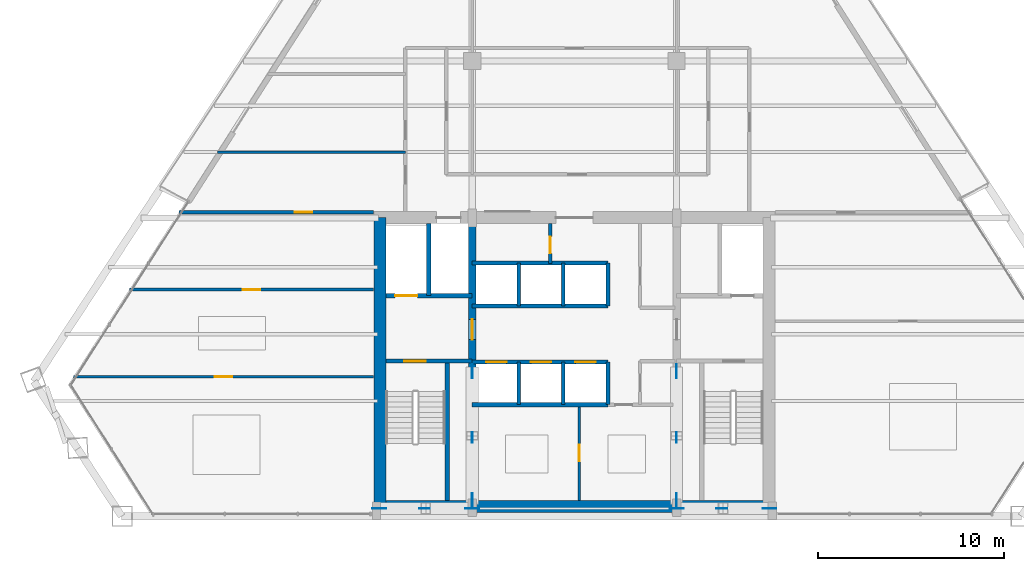
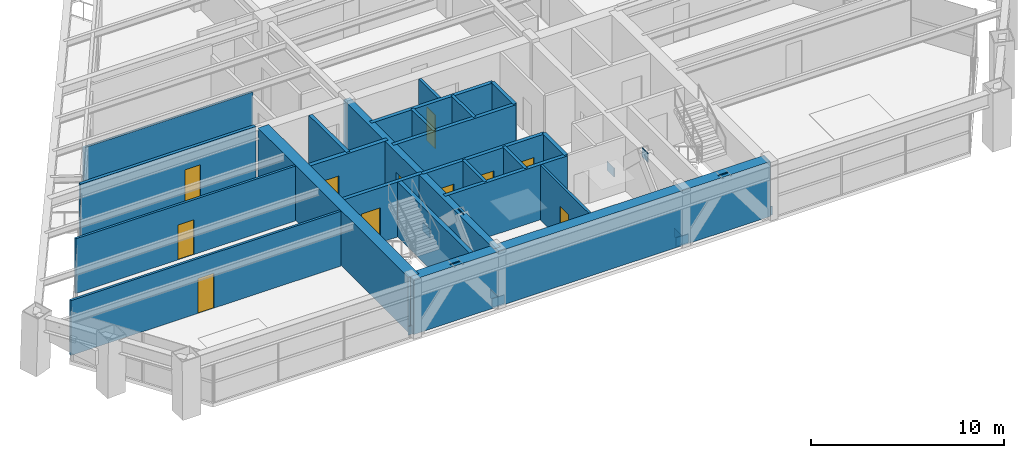
# One storey, part 11 of 15: 23 walls, 12 plates, 11 doors, 11 openings.
"""IFC4 building model written with IfcOpenShell, lengths in metres."""

import ifcopenshell
import ifcopenshell.guid

model = None  # the IFC model being written
_history = None  # IfcOwnerHistory: only IFC2X3 demands one
_inside = {}  # id of a spatial element -> (the spatial element, [elements in it])
_under = {}  # id of a project, library or spatial element -> (it, [spatial elements below it])
_declared = {}  # id of a project -> (the project, [libraries it declares])
_typed = {}  # id of a type object -> (the type object, [elements of that type])
_made_of = {}  # id of a material, layer set ... -> (it, [elements and type objects made of it])


def new_model(schema):
    """Start an empty IFC model of exactly this schema.

    Asked for "IFC4X3", IfcOpenShell would pick the latest addendum, in which some entities
    have other attributes; the version numbers below select the first issue.
    IFC2X3 requires an IfcOwnerHistory on every rooted entity: one is made here for all.
    """
    global model, _history
    if schema == "IFC4X3":
        model = ifcopenshell.file(schema_version=(4, 3, 0, 0))
    else:
        model = ifcopenshell.file(schema=schema)
    _inside.clear()
    _under.clear()
    _declared.clear()
    _typed.clear()
    _made_of.clear()
    _history = None
    if model.schema == "IFC2X3":
        org = make("IfcOrganization", Name="unknown")
        user = make(
            "IfcPersonAndOrganization",
            ThePerson=make("IfcPerson", FamilyName="unknown"),
            TheOrganization=org,
        )
        app = make(
            "IfcApplication",
            ApplicationDeveloper=org,
            Version="unknown",
            ApplicationFullName="unknown",
            ApplicationIdentifier="unknown",
        )
        _history = make(
            "IfcOwnerHistory",
            OwningUser=user,
            OwningApplication=app,
            ChangeAction="ADDED",
            CreationDate=0,
        )
    return model


def make(cls, **values):
    """One entity of the class cls with the attributes given. An attribute that is None is left unset."""
    return model.create_entity(
        cls, **{name: value for name, value in values.items() if value is not None}
    )


def rooted(cls, **values):
    """An entity with a GlobalId (a new one), such as an element, a storey or a relation."""
    return make(cls, GlobalId=ifcopenshell.guid.new(), OwnerHistory=_history, **values)


def si_unit(unit_type, name, prefix=None):
    """IfcSIUnit, for example si_unit("LENGTHUNIT", "METRE", prefix="MILLI")."""
    return make("IfcSIUnit", UnitType=unit_type, Prefix=prefix, Name=name)


def assignment(units):
    """IfcUnitAssignment: the units of a project."""
    return None if units is None else make("IfcUnitAssignment", Units=units)


def point(xyz):
    """IfcCartesianPoint."""
    return None if xyz is None else make("IfcCartesianPoint", Coordinates=xyz)


def direction(xyz):
    """IfcDirection."""
    return None if xyz is None else make("IfcDirection", DirectionRatios=xyz)


def frame(location, z_axis=None, x_axis=None):
    """IfcAxis2Placement3D, a coordinate frame: its origin and axes. An axis left out is left unset."""
    return make(
        "IfcAxis2Placement3D",
        Location=point(location),
        Axis=direction(z_axis),
        RefDirection=direction(x_axis),
    )


def frame_2d(location, x_axis=None):
    """IfcAxis2Placement2D, a coordinate frame in the plane: its origin and x axis."""
    return make(
        "IfcAxis2Placement2D", Location=point(location), RefDirection=direction(x_axis)
    )


def origin():
    """The frame at (0, 0, 0) with its axes left unset."""
    return frame((0.0, 0.0, 0.0))


def origin_2d():
    """The frame at (0, 0) in the plane with its x axis left unset."""
    return frame_2d((0.0, 0.0))


def place(relative_to, where):
    """IfcLocalPlacement: puts the frame where relative to a parent placement (None: the world)."""
    return make(
        "IfcLocalPlacement", PlacementRelTo=relative_to, RelativePlacement=where
    )


def context(
    kind, dimensions, precision=None, world=None, true_north=None, identifier=None
):
    """IfcGeometricRepresentationContext, for example the 3D "Model" context."""
    return make(
        "IfcGeometricRepresentationContext",
        ContextIdentifier=identifier,
        ContextType=kind,
        CoordinateSpaceDimension=dimensions,
        Precision=precision,
        WorldCoordinateSystem=world,
        TrueNorth=true_north,
    )


def subcontext(parent, identifier, kind, view, scale=None):
    """IfcGeometricRepresentationSubContext, for example "Body" below "Model"."""
    return make(
        "IfcGeometricRepresentationSubContext",
        ContextIdentifier=identifier,
        ContextType=kind,
        ParentContext=parent,
        TargetScale=scale,
        TargetView=view,
    )


def project(units=None, contexts=None):
    """IfcProject with its units and contexts."""
    return rooted(
        "IfcProject",
        Name="project",
        RepresentationContexts=contexts,
        UnitsInContext=assignment(units),
    )


def spatial(cls, under=None, at=None, **own):
    """A site, building, storey or space (cls), placed at a placement, below another one or the project."""
    s = rooted(cls, ObjectPlacement=at, **own)
    if under is not None:
        _under.setdefault(under.id(), (under, []))[1].append(s)
    return s


def profile(cls, at=None, kind="AREA", **sizes):
    """A parametric profile (cls). Its sizes go by their IFC names, for example OverallWidth=200.0."""
    return make(cls, ProfileType=kind, Position=at, **sizes)


def rectangle(**sizes):
    """IfcRectangleProfileDef."""
    return profile("IfcRectangleProfileDef", **sizes)


def extrude(swept, where, along, depth):
    """IfcExtrudedAreaSolid: the profile swept, set in the frame where, extruded along a direction by depth."""
    return make(
        "IfcExtrudedAreaSolid",
        SweptArea=swept,
        Position=where,
        ExtrudedDirection=direction(along),
        Depth=depth,
    )


def shape(context_of_items, identifier, shape_type, items):
    """IfcShapeRepresentation: the items that make up one representation, for example the "Body"."""
    return make(
        "IfcShapeRepresentation",
        ContextOfItems=context_of_items,
        RepresentationIdentifier=identifier,
        RepresentationType=shape_type,
        Items=items,
    )


def source(mapping_origin, context_of_items, identifier, shape_type, items):
    """IfcRepresentationMap: a shape defined once, which mapped items show again and again."""
    return make(
        "IfcRepresentationMap",
        MappingOrigin=mapping_origin,
        MappedRepresentation=shape(context_of_items, identifier, shape_type, items),
    )


def transform(
    local_origin,
    x_axis=None,
    y_axis=None,
    z_axis=None,
    scale=None,
    scale2=None,
    scale3=None,
    uniform=True,
):
    """IfcCartesianTransformationOperator3D, or its non-uniform kind. x_axis, y_axis, z_axis: its Axis1, 2, 3."""
    if uniform:
        return make(
            "IfcCartesianTransformationOperator3D",
            Axis1=direction(x_axis),
            Axis2=direction(y_axis),
            LocalOrigin=point(local_origin),
            Scale=scale,
            Axis3=direction(z_axis),
        )
    return make(
        "IfcCartesianTransformationOperator3DnonUniform",
        Axis1=direction(x_axis),
        Axis2=direction(y_axis),
        LocalOrigin=point(local_origin),
        Scale=scale,
        Axis3=direction(z_axis),
        Scale2=scale2,
        Scale3=scale3,
    )


def mapped(mapping_source, mapping_target):
    """IfcMappedItem: shows the shape of a source again, moved by a transform."""
    return make(
        "IfcMappedItem", MappingSource=mapping_source, MappingTarget=mapping_target
    )


def material(Name=None, Category=None):
    """IfcMaterial."""
    return make("IfcMaterial", Name=Name, Category=Category)


def layer(
    of_material, thickness, ventilated=None, Name=None, Category=None, Priority=None
):
    """IfcMaterialLayer: one layer of a wall or slab, of a material (None: an air gap)."""
    return make(
        "IfcMaterialLayer",
        Material=of_material,
        LayerThickness=thickness,
        IsVentilated=ventilated,
        Name=Name,
        Category=Category,
        Priority=Priority,
    )


def layer_set(layers, Name=None):
    """IfcMaterialLayerSet."""
    return make("IfcMaterialLayerSet", MaterialLayers=layers, LayerSetName=Name)


def made_of(thing, what):
    """Note that an element or type object is made of a material, layer set ...; save() writes the relation."""
    if what is not None:
        _made_of.setdefault(what.id(), (what, []))[1].append(thing)
    return thing


def type_object(cls, material=None, **own):
    """A type object (cls), such as IfcWallType, which elements share."""
    return made_of(rooted(cls, **own), material)


def type_shapes(of_type, sources):
    """Give a type object the sources (RepresentationMaps) that its elements show as mapped items."""
    of_type.RepresentationMaps = sources


def element(
    cls,
    number,
    at=None,
    inside=None,
    cuts=None,
    type_object=None,
    material=None,
    context=None,
    identifier="Body",
    shape_type=None,
    held_by="IfcProductDefinitionShape",
    body=None,
    shapes=None,
    **own,
):
    """One element of the class cls, such as IfcWall. Its Tag is "e" and its number.

    at: its placement. inside: the storey or other place that contains it. cuts: it is an
    opening in that element (IfcRelVoidsElement). A single representation is given by context,
    identifier, shape_type and body (its items); several are given by shapes. held_by: the class
    of the entity that holds the representations. save() writes the other relations.
    """
    e = rooted(cls, Tag="e%d" % number, ObjectPlacement=at, **own)
    if body is not None:
        shapes = [shape(context, identifier, shape_type, body)]
    if shapes is not None:
        e.Representation = make(held_by, Representations=shapes)
    if inside is not None:
        _inside.setdefault(inside.id(), (inside, []))[1].append(e)
    if cuts is not None:
        rooted(
            "IfcRelVoidsElement", RelatingBuildingElement=cuts, RelatedOpeningElement=e
        )
    if type_object is not None:
        _typed.setdefault(type_object.id(), (type_object, []))[1].append(e)
    return made_of(e, material)


def fill(opening, filler):
    """IfcRelFillsElement: the door or window that sits in an opening."""
    return rooted(
        "IfcRelFillsElement",
        RelatingOpeningElement=opening,
        RelatedBuildingElement=filler,
    )


def aggregate(whole, parts):
    """IfcRelAggregates: a whole, such as a stair, and the parts it consists of."""
    return rooted("IfcRelAggregates", RelatingObject=whole, RelatedObjects=parts)


def save(model, path):
    """Write the relations noted so far, then the file.

    IfcRelAggregates (storeys below a building ...), IfcRelContainedInSpatialStructure (elements
    in a storey), IfcRelDefinesByType, IfcRelAssociatesMaterial and IfcRelDeclares: one each for
    every whole, place, type object, material and project.
    """
    for whole, parts in _under.values():
        aggregate(whole, parts)
    for where, things in _inside.values():
        rooted(
            "IfcRelContainedInSpatialStructure",
            RelatedElements=things,
            RelatingStructure=where,
        )
    for kind, things in _typed.values():
        rooted("IfcRelDefinesByType", RelatedObjects=things, RelatingType=kind)
    for what, things in _made_of.values():
        rooted("IfcRelAssociatesMaterial", RelatedObjects=things, RelatingMaterial=what)
    for by, libraries in _declared.values():
        rooted("IfcRelDeclares", RelatingContext=by, RelatedDefinitions=libraries)
    model.write(path)


model = new_model("IFC4")

# Units and contexts
model_context = context("Model", 3, precision=1e-05, world=origin(), true_north=direction((0.0, 1.0)))
body_context = subcontext(model_context, "Body", "Model", "MODEL_VIEW")
ifc_project = project(units=[si_unit("LENGTHUNIT", "METRE"), si_unit("AREAUNIT", "SQUARE_METRE"), si_unit("VOLUMEUNIT", "CUBIC_METRE"), si_unit("PLANEANGLEUNIT", "RADIAN"), si_unit("MASSUNIT", "GRAM", prefix="KILO")], contexts=[model_context])

# Site, building, storey
site_placement = place(None, origin())
site = spatial("IfcSite", under=ifc_project, at=site_placement, CompositionType="ELEMENT")
building_placement = place(site_placement, origin())
building = spatial("IfcBuilding", under=site, at=building_placement, Name="Varnakhor Terracotta Tower", CompositionType="ELEMENT")
storey_placement = place(building_placement, frame((0.0, 0.0, 155.199951171875)))
storey = spatial("IfcBuildingStorey", under=building, at=storey_placement, Name="L39", CompositionType="ELEMENT", Elevation=155.199951171875)

# Plates
ifc_material_1 = material(Name="Steel S460", Category="steel")
ifc_layer_1 = layer(ifc_material_1, 0.050048828125, Name="Steel S460")
ifc_layer_set_1 = layer_set([ifc_layer_1], Name="Steel S460")
plate_type = type_object("IfcPlateType", Name="PLT-GUSSET-50", PredefinedType="USERDEFINED", material=ifc_layer_set_1)
shared_shape_1 = source(origin(), body_context, "Body", "SweptSolid", [
    extrude(rectangle(XDim=0.75, YDim=0.0400390625, at=origin_2d()), origin(), (0.0, 0.0, 1.0), 0.550048828125),
])
type_shapes(plate_type, [shared_shape_1])
for number, where, z_axis, x_axis, name in (
    (1, (-10.5, 0.419921875, -0.09521484375), (0.0, 0.0, 1.0), (1.0, 0.0, 0.0), "L39 Core Brace Embed Plate CSWA"),
    (2, (-5.5, 0.419921875, -0.09521484375), (0.0, 0.0, 1.0), (1.0, 0.0, 0.0), "L39 Core Brace Embed Plate CSWB"),
    (3, (5.5, 0.419921875, -0.09521484375), (0.0, 0.0, 1.0), (1.0, 0.0, 0.0), "L39 Core Brace Embed Plate CSEA"),
    (4, (10.5, 0.419921875, -0.09521484375), (0.0, 0.0, 1.0), (1.0, 0.0, 0.0), "L39 Core Brace Embed Plate CSEB"),
    (5, (-5.5, 0.85009765625, -0.09521484375), (0.0, 0.0, 1.0), (0.0, 1.0, 0.0), "L39 Core Brace Embed Plate CWWA"),
    (6, (-5.5, 7.800048828125, -0.09521484375), (0.0, 0.0, 1.0), (0.0, 1.0, 0.0), "L39 Core Brace Embed Plate CWWB"),
    (7, (5.5, 0.85009765625, -0.09521484375), (0.0, 0.0, 1.0), (0.0, 1.0, 0.0), "L39 Core Brace Embed Plate CWEA"),
    (8, (5.5, 7.800048828125, -0.09521484375), (0.0, 0.0, 1.0), (0.0, 1.0, 0.0), "L39 Core Brace Embed Plate CWEB"),
):
    element("IfcPlate", number, at=place(storey_placement, frame(where, z_axis=z_axis, x_axis=x_axis)), inside=storey, type_object=plate_type, Name=name, ObjectType="GUSSET PLATE", PredefinedType="USERDEFINED", context=body_context, shape_type="MappedRepresentation", body=[
        mapped(shared_shape_1, transform((0.0, 0.0, 0.0), scale=1.0)),
    ])
shared_shape_2 = source(origin(), body_context, "Body", "SweptSolid", [
    extrude(rectangle(XDim=0.580078125, YDim=0.0400390625, at=origin_2d()), origin(), (0.0, 0.0, 1.0), 0.580078125),
])
for number, where, z_axis, x_axis, name in (
    (9, (-8.072265625, 0.419921875, 2.93408203125), (0.0, 0.0, 1.0), (1.0, 0.0, 0.0), "L39 Brace End Connection Plate 128"),
    (10, (7.927734375, 0.419921875, 2.93408203125), (0.0, 0.0, 1.0), (1.0, 0.0, 0.0), "L39 Brace End Connection Plate 129"),
    (11, (-5.5, 4.23828125, 2.947021484375), (0.0, 0.0, 1.0), (0.0, 1.0, 0.0), "L39 Brace End Connection Plate 130"),
    (12, (5.5, 4.23828125, 2.947021484375), (0.0, 0.0, 1.0), (0.0, 1.0, 0.0), "L39 Brace End Connection Plate 131"),
):
    element("IfcPlate", number, at=place(storey_placement, frame(where, z_axis=z_axis, x_axis=x_axis)), inside=storey, type_object=plate_type, Name=name, ObjectType="GUSSET PLATE", PredefinedType="USERDEFINED", context=body_context, shape_type="MappedRepresentation", body=[
        mapped(shared_shape_2, transform((0.0, 0.0, 0.0), scale=1.0)),
    ])

# Walls
ifc_material_2 = material(Name="Concrete C50/60", Category="concrete")
ifc_layer_2 = layer(ifc_material_2, 0.64990234375, Name="Concrete C50/60")
ifc_layer_set_2 = layer_set([ifc_layer_2], Name="Concrete C50/60")
wall_type_1 = type_object("IfcWallType", Name="WAL-CORE-650", PredefinedType="SHEAR", material=ifc_layer_set_2)
wall_1_placement = place(storey_placement, frame((-10.64990234375, 0.52490234375, 0.0), z_axis=(0.0, 0.0, 1.0), x_axis=(1.0, 0.0, 0.0)))
element("IfcWall", 13, at=wall_1_placement, inside=storey, type_object=wall_type_1, Name="L39 South Core Shear Wall", PredefinedType="SHEAR", context=body_context, shape_type="SweptSolid", body=[
    extrude(rectangle(XDim=21.2998046875, YDim=0.64990234375, at=frame_2d((10.64990234375, 0.0))), origin(), (0.0, 0.0, 1.0), 3.469970703125),
])
wall_2_placement = place(storey_placement, frame((-10.47509765625, 0.52490234375, 0.0), z_axis=(0.0, 0.0, 1.0), x_axis=(0.0, 1.0, 0.0)))
element("IfcWall", 14, at=wall_2_placement, inside=storey, type_object=wall_type_1, Name="L39 West Core Shear Wall", PredefinedType="SHEAR", context=body_context, shape_type="SweptSolid", body=[
    extrude(rectangle(XDim=15.550048828125, YDim=0.64990234375, at=frame_2d((7.77490234375, 0.0))), origin(), (0.0, 0.0, 1.0), 3.469970703125),
])

# Wall, opening, door
ifc_layer_3 = layer(ifc_material_2, 0.39990234375, Name="Concrete C50/60")
ifc_layer_set_3 = layer_set([ifc_layer_3], Name="Concrete C50/60")
wall_type_2 = type_object("IfcWallType", Name="WAL-CORE-WEB-400", PredefinedType="SHEAR", material=ifc_layer_set_3)
wall_3_placement = place(storey_placement, frame((-5.5, 0.52490234375, 0.0), z_axis=(0.0, 0.0, 1.0), x_axis=(0.0, 1.0, 0.0)))
wall_3 = element("IfcWall", 15, at=wall_3_placement, inside=storey, type_object=wall_type_2, Name="L39 West Core Web Shear Wall", PredefinedType="SHEAR", context=body_context, shape_type="SweptSolid", body=[
    extrude(rectangle(XDim=15.550048828125, YDim=0.39990234375, at=frame_2d((7.77490234375, 0.0))), origin(), (0.0, 0.0, 1.0), 3.469970703125),
])
opening_1_placement = place(wall_3_placement, frame((8.97509765625, 0.0, 0.0)))
opening_1 = element("IfcOpeningElement", 16, at=opening_1_placement, cuts=wall_3, Name="Opening DR-25", PredefinedType="OPENING", context=body_context, shape_type="SweptSolid", body=[
    extrude(rectangle(XDim=1.10009765625, YDim=2.199951171875, at=frame_2d((0.550048828125, 1.10009765625))), frame((0.0, 0.2099609375, 0.0), z_axis=(0.0, -1.0, 0.0), x_axis=(1.0, 0.0, 0.0)), (0.0, 0.0, 1.0), 0.419921875),
])
ifc_material_3 = material(Name="Firefighting Lobby Self-Closing Fire Door", Category="steel")
door_type_1 = type_object("IfcDoorType", Name="DR-FFL-1100X2200", OperationType="NOTDEFINED", PredefinedType="DOOR", material=ifc_material_3)
shared_shape_3 = source(origin(), body_context, "Body", "SweptSolid", [
    extrude(rectangle(XDim=1.10009765625, YDim=2.199951171875, at=frame_2d((0.550048828125, 1.10009765625))), frame((0.0, 0.02490234375, 0.0), z_axis=(0.0, -1.0, 0.0), x_axis=(1.0, 0.0, 0.0)), (0.0, 0.0, 1.0), 0.050048828125),
])
type_shapes(door_type_1, [shared_shape_3])
door_1_placement = place(opening_1_placement, origin())
door_1 = element("IfcDoor", 17, at=door_1_placement, inside=storey, type_object=door_type_1, Name="L39 West Firefighting Lobby Door", OperationType="SINGLE_SWING_LEFT", OverallHeight=2.199951171875, OverallWidth=1.10009765625, PredefinedType="DOOR", context=body_context, shape_type="MappedRepresentation", body=[
    mapped(shared_shape_3, transform((0.0, 0.0, 0.0), scale=1.0)),
])
fill(opening_1, door_1)

ifc_material_4 = material(Name="Fire-Rated Gypsum Stud Partition", Category="gypsum")
ifc_layer_4 = layer(ifc_material_4, 0.18505859375, Name="Fire-Rated Gypsum Stud Partition")
ifc_layer_set_4 = layer_set([ifc_layer_4], Name="Fire-Rated Gypsum Stud Partition")
wall_type_3 = type_object("IfcWallType", Name="WAL-CORR-185", PredefinedType="PARTITIONING", material=ifc_layer_set_4)
wall_4_placement = place(storey_placement, frame((-21.28271484375, 16.35009765625, 0.0), z_axis=(0.0, 0.0, 1.0), x_axis=(1.0, 0.0, 0.0)))
wall_4 = element("IfcWall", 18, at=wall_4_placement, inside=storey, type_object=wall_type_3, Name="L39 South West Entry Wall", PredefinedType="PARTITIONING", context=body_context, shape_type="SweptSolid", body=[
    extrude(rectangle(XDim=10.462646484375, YDim=0.18505859375, at=frame_2d((5.2314453125, 0.0))), origin(), (0.0, 0.0, 1.0), 3.462158203125),
])
opening_2_placement = place(wall_4_placement, frame((6.223876953125, 0.0, 0.0)))
opening_2 = element("IfcOpeningElement", 19, at=opening_2_placement, cuts=wall_4, Name="Opening DR-94", PredefinedType="OPENING", context=body_context, shape_type="SweptSolid", body=[
    extrude(rectangle(XDim=0.949951171875, YDim=2.199951171875, at=frame_2d((0.47509765625, 1.10009765625))), frame((0.0, 0.1025390625, 0.0), z_axis=(0.0, -1.0, 0.0), x_axis=(1.0, 0.0, 0.0)), (0.0, 0.0, 1.0), 0.205078125),
])
ifc_material_5 = material(Name="Acoustic Glazed-Vision Timber Office Door", Category="wood")
door_type_2 = type_object("IfcDoorType", Name="DR-OFF-950X2200", OperationType="NOTDEFINED", PredefinedType="DOOR", material=ifc_material_5)
shared_shape_4 = source(origin(), body_context, "Body", "SweptSolid", [
    extrude(rectangle(XDim=0.949951171875, YDim=2.199951171875, at=frame_2d((0.47509765625, 1.10009765625))), frame((0.0, 0.02490234375, 0.0), z_axis=(0.0, -1.0, 0.0), x_axis=(1.0, 0.0, 0.0)), (0.0, 0.0, 1.0), 0.050048828125),
])
type_shapes(door_type_2, [shared_shape_4])
door_2_placement = place(opening_2_placement, origin())
door_2 = element("IfcDoor", 20, at=door_2_placement, inside=storey, type_object=door_type_2, Name="L39 SW Suite Door", OperationType="SINGLE_SWING_RIGHT", OverallHeight=2.199951171875, OverallWidth=0.949951171875, PredefinedType="DOOR", context=body_context, shape_type="MappedRepresentation", body=[
    mapped(shared_shape_4, transform((0.0, 0.0, 0.0), scale=1.0)),
])
fill(opening_2, door_2)

ifc_material_6 = material(Name="Concrete C40/50", Category="concrete")
ifc_layer_5 = layer(ifc_material_6, 0.219970703125, Name="Concrete C40/50")
ifc_layer_set_5 = layer_set([ifc_layer_5], Name="Concrete C40/50")
wall_type_4 = type_object("IfcWallType", Name="WAL-FFLOBBY-220", PredefinedType="SOLIDWALL", material=ifc_layer_set_5)
wall_5_placement = place(storey_placement, frame((-5.5, 8.35009765625, 0.0), z_axis=(0.0, 0.0, 1.0), x_axis=(-1.0, 0.0, 0.0)))
wall_5 = element("IfcWall", 21, at=wall_5_placement, inside=storey, type_object=wall_type_4, Name="L39 West Firefighting Lobby Stair Wall", PredefinedType="SOLIDWALL", context=body_context, shape_type="SweptSolid", body=[
    extrude(rectangle(XDim=4.64990234375, YDim=0.219970703125, at=frame_2d((2.324951171875, 0.0))), origin(), (0.0, 0.0, 1.0), 3.469970703125),
])
opening_3_placement = place(wall_5_placement, frame((2.5, 0.0, 0.0)))
opening_3 = element("IfcOpeningElement", 22, at=opening_3_placement, cuts=wall_5, Name="Opening DR-34", PredefinedType="OPENING", context=body_context, shape_type="SweptSolid", body=[
    extrude(rectangle(XDim=1.14990234375, YDim=2.199951171875, at=frame_2d((0.574951171875, 1.10009765625))), frame((0.0, 0.1201171875, 0.0), z_axis=(0.0, -1.0, 0.0), x_axis=(1.0, 0.0, 0.0)), (0.0, 0.0, 1.0), 0.239990234375),
])
ifc_material_7 = material(Name="Self-Closing Smoke-Sealed Steel Fire Door", Category="steel")
door_type_3 = type_object("IfcDoorType", Name="DR-STAIR-1150X2200", OperationType="NOTDEFINED", PredefinedType="DOOR", material=ifc_material_7)
shared_shape_5 = source(origin(), body_context, "Body", "SweptSolid", [
    extrude(rectangle(XDim=1.14990234375, YDim=2.199951171875, at=frame_2d((0.574951171875, 1.10009765625))), frame((0.0, 0.02490234375, 0.0), z_axis=(0.0, -1.0, 0.0), x_axis=(1.0, 0.0, 0.0)), (0.0, 0.0, 1.0), 0.050048828125),
])
type_shapes(door_type_3, [shared_shape_5])
door_3_placement = place(opening_3_placement, origin())
door_3 = element("IfcDoor", 23, at=door_3_placement, inside=storey, type_object=door_type_3, Name="L39 Exit Stair ST-1 Fire Door", OperationType="SINGLE_SWING_RIGHT", OverallHeight=2.199951171875, OverallWidth=1.14990234375, PredefinedType="DOOR", context=body_context, shape_type="MappedRepresentation", body=[
    mapped(shared_shape_5, transform((0.0, 0.0, 0.0), scale=1.0)),
])
fill(opening_3, door_3)

ifc_material_8 = material(Name="Acoustic Metal-Stud Partition", Category="gypsum")
ifc_layer_6 = layer(ifc_material_8, 0.139892578125, Name="Acoustic Metal-Stud Partition")
ifc_layer_set_6 = layer_set([ifc_layer_6], Name="Acoustic Metal-Stud Partition")
wall_type_5 = type_object("IfcWallType", Name="WAL-PART-140", PredefinedType="PARTITIONING", material=ifc_layer_set_6)
wall_6_placement = place(storey_placement, frame((-26.957275390625, 7.5, 0.0), z_axis=(0.0, 0.0, 1.0), x_axis=(1.0, 0.0, 0.0)))
wall_6 = element("IfcWall", 24, at=wall_6_placement, inside=storey, type_object=wall_type_5, Name="L39 West Wing Cut 1", PredefinedType="PARTITIONING", context=body_context, shape_type="SweptSolid", body=[
    extrude(rectangle(XDim=16.13720703125, YDim=0.139892578125, at=frame_2d((8.068603515625, 0.0))), origin(), (0.0, 0.0, 1.0), 3.462158203125),
])
opening_4_placement = place(wall_6_placement, frame((7.60205078125, 0.0, 0.0)))
opening_4 = element("IfcOpeningElement", 25, at=opening_4_placement, cuts=wall_6, Name="Opening DR-94", PredefinedType="OPENING", context=body_context, shape_type="SweptSolid", body=[
    extrude(rectangle(XDim=0.949951171875, YDim=2.199951171875, at=frame_2d((0.47509765625, 1.10009765625))), frame((0.0, 0.080078125, 0.0), z_axis=(0.0, -1.0, 0.0), x_axis=(1.0, 0.0, 0.0)), (0.0, 0.0, 1.0), 0.159912109375),
])
door_4_placement = place(opening_4_placement, origin())
door_4 = element("IfcDoor", 26, at=door_4_placement, inside=storey, type_object=door_type_2, Name="L39 Wellness Lounge 4 Door", OperationType="SINGLE_SWING_RIGHT", OverallHeight=2.199951171875, OverallWidth=0.949951171875, PredefinedType="DOOR", context=body_context, shape_type="MappedRepresentation", body=[
    mapped(shared_shape_4, transform((0.0, 0.0, 0.0), scale=1.0)),
])
fill(opening_4, door_4)

wall_7_placement = place(storey_placement, frame((-23.943603515625, 12.199951171875, 0.0), z_axis=(0.0, 0.0, 1.0), x_axis=(1.0, 0.0, 0.0)))
wall_7 = element("IfcWall", 27, at=wall_7_placement, inside=storey, type_object=wall_type_5, Name="L39 West Wing Cut 2", PredefinedType="PARTITIONING", context=body_context, shape_type="SweptSolid", body=[
    extrude(rectangle(XDim=13.12353515625, YDim=0.139892578125, at=frame_2d((6.561767578125, 0.0))), origin(), (0.0, 0.0, 1.0), 3.462158203125),
])
opening_5_placement = place(wall_7_placement, frame((6.09521484375, 0.0, 0.0)))
opening_5 = element("IfcOpeningElement", 28, at=opening_5_placement, cuts=wall_7, Name="Opening DR-94", PredefinedType="OPENING", context=body_context, shape_type="SweptSolid", body=[
    extrude(rectangle(XDim=0.949951171875, YDim=2.199951171875, at=frame_2d((0.47509765625, 1.10009765625))), frame((0.0, 0.080078125, 0.0), z_axis=(0.0, -1.0, 0.0), x_axis=(1.0, 0.0, 0.0)), (0.0, 0.0, 1.0), 0.159912109375),
])
door_5_placement = place(opening_5_placement, origin())
door_5 = element("IfcDoor", 29, at=door_5_placement, inside=storey, type_object=door_type_2, Name="L39 Executive Lounge 1 B3 Door", OperationType="SINGLE_SWING_LEFT", OverallHeight=2.199951171875, OverallWidth=0.949951171875, PredefinedType="DOOR", context=body_context, shape_type="MappedRepresentation", body=[
    mapped(shared_shape_4, transform((0.0, 0.0, 0.0), scale=1.0)),
])
fill(opening_5, door_5)

# Walls
wall_8_placement = place(storey_placement, frame((-19.198974609375, 19.60009765625, 0.0), z_axis=(0.0, 0.0, 1.0), x_axis=(1.0, 0.0, 0.0)))
element("IfcWall", 30, at=wall_8_placement, inside=storey, type_object=wall_type_5, Name="L39 West Wing Cut 3", PredefinedType="PARTITIONING", context=body_context, shape_type="SweptSolid", body=[
    extrude(rectangle(XDim=10.098876953125, YDim=0.139892578125, at=frame_2d((5.04931640625, 0.0))), origin(), (0.0, 0.0, 1.0), 3.049072265625),
])
ifc_layer_7 = layer(ifc_material_6, 0.179931640625, Name="Concrete C40/50")
ifc_layer_set_7 = layer_set([ifc_layer_7], Name="Concrete C40/50")
wall_type_6 = type_object("IfcWallType", Name="WAL-SHAFT-180", PredefinedType="SOLIDWALL", material=ifc_layer_set_7)
for number, where, z_axis, x_axis, name in (
    (31, (-3.0, 6.0, 0.0), (0.0, 0.0, 1.0), (0.0, 1.0, 0.0), "L39 PL-2A Divider"),
    (32, (-0.60009765625, 6.0, 0.0), (0.0, 0.0, 1.0), (0.0, 1.0, 0.0), "L39 PL-2B Divider"),
    (33, (-3.0, 11.320068359375, 0.0), (0.0, 0.0, 1.0), (0.0, 1.0, 0.0), "L39 PL-3A Divider"),
    (34, (-0.60009765625, 11.320068359375, 0.0), (0.0, 0.0, 1.0), (0.0, 1.0, 0.0), "L39 PL-3B Divider"),
):
    element("IfcWall", number, at=place(storey_placement, frame(where, z_axis=z_axis, x_axis=x_axis)), inside=storey, type_object=wall_type_6, Name=name, PredefinedType="SOLIDWALL", context=body_context, shape_type="SweptSolid", body=[
        extrude(rectangle(XDim=2.300048828125, YDim=0.179931640625, at=frame_2d((1.14990234375, 0.0))), origin(), (0.0, 0.0, 1.0), 3.469970703125),
    ])
ifc_layer_8 = layer(ifc_material_6, 0.219970703125, Name="Concrete C40/50")
ifc_layer_set_8 = layer_set([ifc_layer_8], Name="Concrete C40/50")
wall_type_7 = type_object("IfcWallType", Name="WAL-SHAFT-220", PredefinedType="SOLIDWALL", material=ifc_layer_set_8)
wall_9_placement = place(storey_placement, frame((-7.840087890625, 11.8701171875, 0.0), z_axis=(0.0, 0.0, 1.0), x_axis=(0.0, 1.0, 0.0)))
element("IfcWall", 35, at=wall_9_placement, inside=storey, type_object=wall_type_7, Name="L39 Lift FFL-1 and SVL-1 Divider Wall", PredefinedType="SOLIDWALL", context=body_context, shape_type="SweptSolid", body=[
    extrude(rectangle(XDim=3.8798828125, YDim=0.219970703125, at=frame_2d((1.93994140625, 0.0))), origin(), (0.0, 0.0, 1.0), 3.469970703125),
])
wall_10_placement = place(storey_placement, frame((-5.5, 6.0, 0.0), z_axis=(0.0, 0.0, 1.0), x_axis=(1.0, 0.0, 0.0)))
element("IfcWall", 36, at=wall_10_placement, inside=storey, type_object=wall_type_7, Name="L39 Bank 2 South Shaft Wall", PredefinedType="SOLIDWALL", context=body_context, shape_type="SweptSolid", body=[
    extrude(rectangle(XDim=7.320068359375, YDim=0.219970703125, at=frame_2d((3.66015625, 0.0))), origin(), (0.0, 0.0, 1.0), 3.469970703125),
])

# Wall, openings, doors
wall_11_placement = place(storey_placement, frame((-5.5, 8.300048828125, 0.0), z_axis=(0.0, 0.0, 1.0), x_axis=(1.0, 0.0, 0.0)))
wall_11 = element("IfcWall", 37, at=wall_11_placement, inside=storey, type_object=wall_type_7, Name="L39 Bank 2 North Shaft Wall", PredefinedType="SOLIDWALL", context=body_context, shape_type="SweptSolid", body=[
    extrude(rectangle(XDim=7.320068359375, YDim=0.219970703125, at=frame_2d((3.66015625, 0.0))), origin(), (0.0, 0.0, 1.0), 3.469970703125),
])
opening_6_placement = place(wall_11_placement, frame((0.75, 0.0, 0.0)))
opening_6 = element("IfcOpeningElement", 38, at=opening_6_placement, cuts=wall_11, Name="Opening LD-01", PredefinedType="OPENING", context=body_context, shape_type="SweptSolid", body=[
    extrude(rectangle(XDim=1.10009765625, YDim=2.199951171875, at=frame_2d((0.550048828125, 1.10009765625))), frame((0.0, 0.1201171875, 0.0), z_axis=(0.0, -1.0, 0.0), x_axis=(1.0, 0.0, 0.0)), (0.0, 0.0, 1.0), 0.239990234375),
])
opening_7_placement = place(wall_11_placement, frame((3.14990234375, 0.0, 0.0)))
opening_7 = element("IfcOpeningElement", 39, at=opening_7_placement, cuts=wall_11, Name="Opening LD-01", PredefinedType="OPENING", context=body_context, shape_type="SweptSolid", body=[
    extrude(rectangle(XDim=1.10009765625, YDim=2.199951171875, at=frame_2d((0.550048828125, 1.10009765625))), frame((0.0, 0.1201171875, 0.0), z_axis=(0.0, -1.0, 0.0), x_axis=(1.0, 0.0, 0.0)), (0.0, 0.0, 1.0), 0.239990234375),
])
opening_8_placement = place(wall_11_placement, frame((5.550048828125, 0.0, 0.0)))
opening_8 = element("IfcOpeningElement", 40, at=opening_8_placement, cuts=wall_11, Name="Opening LD-01", PredefinedType="OPENING", context=body_context, shape_type="SweptSolid", body=[
    extrude(rectangle(XDim=1.10009765625, YDim=2.199951171875, at=frame_2d((0.550048828125, 1.10009765625))), frame((0.0, 0.1201171875, 0.0), z_axis=(0.0, -1.0, 0.0), x_axis=(1.0, 0.0, 0.0)), (0.0, 0.0, 1.0), 0.239990234375),
])
ifc_material_9 = material(Name="Brushed Stainless Steel Sliding Lift Landing Door", Category="steel")
door_type_4 = type_object("IfcDoorType", Name="LD-PASS-1100X2200", OperationType="NOTDEFINED", PredefinedType="DOOR", material=ifc_material_9)
shared_shape_6 = source(origin(), body_context, "Body", "SweptSolid", [
    extrude(rectangle(XDim=1.10009765625, YDim=2.199951171875, at=frame_2d((0.550048828125, 1.10009765625))), frame((0.0, 0.02490234375, 0.0), z_axis=(0.0, -1.0, 0.0), x_axis=(1.0, 0.0, 0.0)), (0.0, 0.0, 1.0), 0.050048828125),
])
type_shapes(door_type_4, [shared_shape_6])
door_6_placement = place(opening_6_placement, origin())
door_6 = element("IfcDoor", 41, at=door_6_placement, inside=storey, type_object=door_type_4, Name="L39 Passenger Lift PL-2A Landing Door", OperationType="SLIDING_TO_LEFT", OverallHeight=2.199951171875, OverallWidth=1.10009765625, PredefinedType="DOOR", context=body_context, shape_type="MappedRepresentation", body=[
    mapped(shared_shape_6, transform((0.0, 0.0, 0.0), scale=1.0)),
])
fill(opening_6, door_6)
door_7_placement = place(opening_7_placement, origin())
door_7 = element("IfcDoor", 42, at=door_7_placement, inside=storey, type_object=door_type_4, Name="L39 Passenger Lift PL-2B Landing Door", OperationType="SLIDING_TO_LEFT", OverallHeight=2.199951171875, OverallWidth=1.10009765625, PredefinedType="DOOR", context=body_context, shape_type="MappedRepresentation", body=[
    mapped(shared_shape_6, transform((0.0, 0.0, 0.0), scale=1.0)),
])
fill(opening_7, door_7)
door_8_placement = place(opening_8_placement, origin())
door_8 = element("IfcDoor", 43, at=door_8_placement, inside=storey, type_object=door_type_4, Name="L39 Passenger Lift PL-2C Landing Door", OperationType="SLIDING_TO_LEFT", OverallHeight=2.199951171875, OverallWidth=1.10009765625, PredefinedType="DOOR", context=body_context, shape_type="MappedRepresentation", body=[
    mapped(shared_shape_6, transform((0.0, 0.0, 0.0), scale=1.0)),
])
fill(opening_8, door_8)

# Walls
wall_12_placement = place(storey_placement, frame((1.800048828125, 6.0, 0.0), z_axis=(0.0, 0.0, 1.0), x_axis=(0.0, 1.0, 0.0)))
element("IfcWall", 44, at=wall_12_placement, inside=storey, type_object=wall_type_7, Name="L39 Bank 2 East Shaft Wall", PredefinedType="SOLIDWALL", context=body_context, shape_type="SweptSolid", body=[
    extrude(rectangle(XDim=2.300048828125, YDim=0.219970703125, at=frame_2d((1.14990234375, 0.0))), origin(), (0.0, 0.0, 1.0), 3.469970703125),
])
for number, where, z_axis, x_axis, name in (
    (45, (-5.5, 11.320068359375, 0.0), (0.0, 0.0, 1.0), (1.0, 0.0, 0.0), "L39 Bank 3 South Shaft Wall"),
    (46, (-5.5, 13.6201171875, 0.0), (0.0, 0.0, 1.0), (1.0, 0.0, 0.0), "L39 Bank 3 North Shaft Wall"),
):
    element("IfcWall", number, at=place(storey_placement, frame(where, z_axis=z_axis, x_axis=x_axis)), inside=storey, type_object=wall_type_7, Name=name, PredefinedType="SOLIDWALL", context=body_context, shape_type="SweptSolid", body=[
        extrude(rectangle(XDim=7.320068359375, YDim=0.219970703125, at=frame_2d((3.66015625, 0.0))), origin(), (0.0, 0.0, 1.0), 3.469970703125),
    ])
wall_13_placement = place(storey_placement, frame((1.800048828125, 11.320068359375, 0.0), z_axis=(0.0, 0.0, 1.0), x_axis=(0.0, 1.0, 0.0)))
element("IfcWall", 47, at=wall_13_placement, inside=storey, type_object=wall_type_7, Name="L39 Bank 3 East Shaft Wall", PredefinedType="SOLIDWALL", context=body_context, shape_type="SweptSolid", body=[
    extrude(rectangle(XDim=2.300048828125, YDim=0.219970703125, at=frame_2d((1.14990234375, 0.0))), origin(), (0.0, 0.0, 1.0), 3.469970703125),
])
ifc_layer_9 = layer(ifc_material_6, 0.25, Name="Concrete C40/50")
ifc_layer_set_9 = layer_set([ifc_layer_9], Name="Concrete C40/50")
wall_type_8 = type_object("IfcWallType", Name="WAL-SHAFT-250", PredefinedType="SOLIDWALL", material=ifc_layer_set_9)
wall_14_placement = place(storey_placement, frame((-6.85009765625, 0.85009765625, 0.0), z_axis=(0.0, 0.0, 1.0), x_axis=(0.0, 1.0, 0.0)))
element("IfcWall", 48, at=wall_14_placement, inside=storey, type_object=wall_type_8, Name="L39 Stair ST-1 Bearing Shaft Wall", PredefinedType="SOLIDWALL", context=body_context, shape_type="SweptSolid", body=[
    extrude(rectangle(XDim=7.5, YDim=0.25, at=frame_2d((3.75, 0.0))), origin(), (0.0, 0.0, 1.0), 3.469970703125),
])

# Wall, opening, door
wall_15_placement = place(storey_placement, frame((-5.5, 11.8701171875, 0.0), z_axis=(0.0, 0.0, 1.0), x_axis=(-1.0, 0.0, 0.0)))
wall_15 = element("IfcWall", 49, at=wall_15_placement, inside=storey, type_object=wall_type_8, Name="L39 Lift FFL-1 Shaft Front Wall", PredefinedType="SOLIDWALL", context=body_context, shape_type="SweptSolid", body=[
    extrude(rectangle(XDim=4.64990234375, YDim=0.25, at=frame_2d((2.324951171875, 0.0))), origin(), (0.0, 0.0, 1.0), 3.469970703125),
])
opening_9_placement = place(wall_15_placement, frame((2.949951171875, 0.0, 0.0)))
opening_9 = element("IfcOpeningElement", 50, at=opening_9_placement, cuts=wall_15, Name="Opening LD-02", PredefinedType="OPENING", context=body_context, shape_type="SweptSolid", body=[
    extrude(rectangle(XDim=1.199951171875, YDim=2.25, at=frame_2d((0.60009765625, 1.125))), frame((0.0, 0.135009765625, 0.0), z_axis=(0.0, -1.0, 0.0), x_axis=(1.0, 0.0, 0.0)), (0.0, 0.0, 1.0), 0.27001953125),
])
ifc_material_10 = material(Name="Firefighting Stretcher Sliding Lift Landing Door", Category="steel")
door_type_5 = type_object("IfcDoorType", Name="LD-FFL-1200X2250", OperationType="NOTDEFINED", PredefinedType="DOOR", material=ifc_material_10)
shared_shape_7 = source(origin(), body_context, "Body", "SweptSolid", [
    extrude(rectangle(XDim=1.199951171875, YDim=2.25, at=frame_2d((0.60009765625, 1.125))), frame((0.0, 0.02490234375, 0.0), z_axis=(0.0, -1.0, 0.0), x_axis=(1.0, 0.0, 0.0)), (0.0, 0.0, 1.0), 0.050048828125),
])
type_shapes(door_type_5, [shared_shape_7])
door_9_placement = place(opening_9_placement, origin())
door_9 = element("IfcDoor", 51, at=door_9_placement, inside=storey, type_object=door_type_5, Name="L39 Firefighting Lift FFL-1 Landing Door", OperationType="SLIDING_TO_LEFT", OverallHeight=2.25, OverallWidth=1.199951171875, PredefinedType="DOOR", context=body_context, shape_type="MappedRepresentation", body=[
    mapped(shared_shape_7, transform((0.0, 0.0, 0.0), scale=1.0)),
])
fill(opening_9, door_9)

ifc_material_11 = material(Name="Acoustic Fire-Rated Partition", Category="gypsum")
ifc_layer_10 = layer(ifc_material_11, 0.139892578125, Name="Acoustic Fire-Rated Partition")
ifc_layer_set_10 = layer_set([ifc_layer_10], Name="Acoustic Fire-Rated Partition")
wall_type_9 = type_object("IfcWallType", Name="WAL-TENANCY-140", PredefinedType="PARTITIONING", material=ifc_layer_set_10)
wall_16_placement = place(storey_placement, frame((0.25, 0.85009765625, 0.0), z_axis=(0.0, 0.0, 1.0), x_axis=(0.0, 1.0, 0.0)))
wall_16 = element("IfcWall", 52, at=wall_16_placement, inside=storey, type_object=wall_type_9, Name="L39 Reclaimed Core Bay Split Wall", PredefinedType="PARTITIONING", context=body_context, shape_type="SweptSolid", body=[
    extrude(rectangle(XDim=5.02978515625, YDim=0.139892578125, at=frame_2d((2.514892578125, 0.0))), origin(), (0.0, 0.0, 1.0), 3.462158203125),
])
opening_10_placement = place(wall_16_placement, frame((2.10009765625, 0.0, 0.0)))
opening_10 = element("IfcOpeningElement", 53, at=opening_10_placement, cuts=wall_16, Name="Opening DR-67", PredefinedType="OPENING", context=body_context, shape_type="SweptSolid", body=[
    extrude(rectangle(XDim=0.89990234375, YDim=2.10009765625, at=frame_2d((0.449951171875, 1.050048828125))), frame((0.0, 0.080078125, 0.0), z_axis=(0.0, -1.0, 0.0), x_axis=(1.0, 0.0, 0.0)), (0.0, 0.0, 1.0), 0.159912109375),
])
ifc_material_12 = material(Name="Steel Service Riser Fire Door", Category="steel")
door_type_6 = type_object("IfcDoorType", Name="DR-RISER-900X2100", OperationType="NOTDEFINED", PredefinedType="DOOR", material=ifc_material_12)
shared_shape_8 = source(origin(), body_context, "Body", "SweptSolid", [
    extrude(rectangle(XDim=0.89990234375, YDim=2.10009765625, at=frame_2d((0.449951171875, 1.050048828125))), frame((0.0, 0.02490234375, 0.0), z_axis=(0.0, -1.0, 0.0), x_axis=(1.0, 0.0, 0.0)), (0.0, 0.0, 1.0), 0.050048828125),
])
type_shapes(door_type_6, [shared_shape_8])
door_10_placement = place(opening_10_placement, origin())
door_10 = element("IfcDoor", 54, at=door_10_placement, inside=storey, type_object=door_type_6, Name="L39 Core Inner Service Door", OperationType="SINGLE_SWING_LEFT", OverallHeight=2.10009765625, OverallWidth=0.89990234375, PredefinedType="DOOR", context=body_context, shape_type="MappedRepresentation", body=[
    mapped(shared_shape_8, transform((0.0, 0.0, 0.0), scale=1.0)),
])
fill(opening_10, door_10)

ifc_layer_11 = layer(ifc_material_11, 0.1650390625, Name="Acoustic Fire-Rated Partition")
ifc_layer_set_11 = layer_set([ifc_layer_11], Name="Acoustic Fire-Rated Partition")
wall_type_10 = type_object("IfcWallType", Name="WAL-TENANCY-165", PredefinedType="PARTITIONING", material=ifc_layer_set_11)
wall_17_placement = place(storey_placement, frame((-1.300048828125, 13.60009765625, 0.0), z_axis=(0.0, 0.0, 1.0), x_axis=(0.0, 1.0, 0.0)))
wall_17 = element("IfcWall", 55, at=wall_17_placement, inside=storey, type_object=wall_type_10, Name="L39 Male Restroom Wall", PredefinedType="PARTITIONING", context=body_context, shape_type="SweptSolid", body=[
    extrude(rectangle(XDim=2.14990234375, YDim=0.1650390625, at=frame_2d((1.074951171875, 0.0))), origin(), (0.0, 0.0, 1.0), 3.462158203125),
])
opening_11_placement = place(wall_17_placement, frame((0.550048828125, 0.0, 0.0)))
opening_11 = element("IfcOpeningElement", 56, at=opening_11_placement, cuts=wall_17, Name="Opening DR-67", PredefinedType="OPENING", context=body_context, shape_type="SweptSolid", body=[
    extrude(rectangle(XDim=0.89990234375, YDim=2.10009765625, at=frame_2d((0.449951171875, 1.050048828125))), frame((0.0, 0.092529296875, 0.0), z_axis=(0.0, -1.0, 0.0), x_axis=(1.0, 0.0, 0.0)), (0.0, 0.0, 1.0), 0.18505859375),
])
door_11_placement = place(opening_11_placement, origin())
door_11 = element("IfcDoor", 57, at=door_11_placement, inside=storey, type_object=door_type_6, Name="L39 Male WC Door", OperationType="SINGLE_SWING_LEFT", OverallHeight=2.10009765625, OverallWidth=0.89990234375, PredefinedType="DOOR", context=body_context, shape_type="MappedRepresentation", body=[
    mapped(shared_shape_8, transform((0.0, 0.0, 0.0), scale=1.0)),
])
fill(opening_11, door_11)

save(model, "model.ifc")
